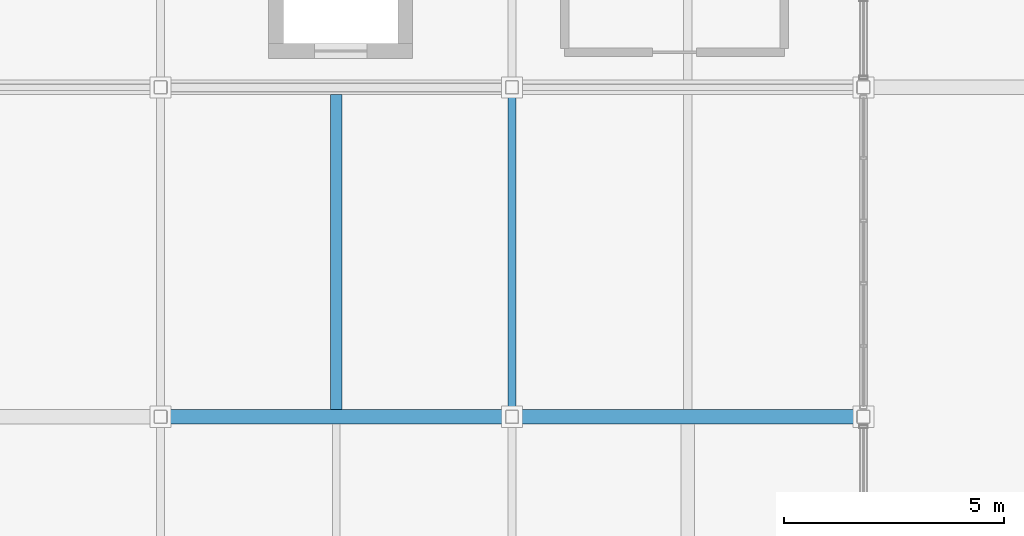
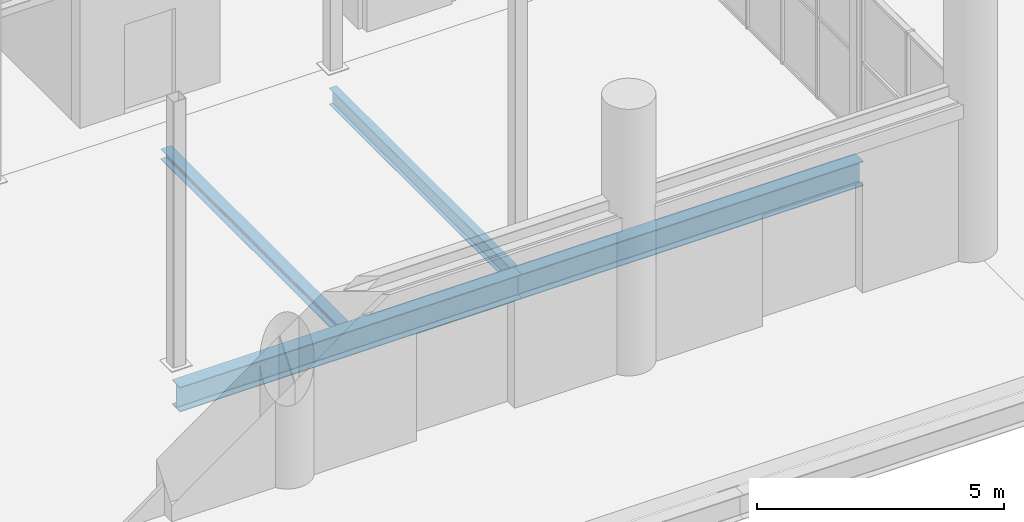
# One storey, part 30 of 140: 4 beams.
"""IFC4 building model written with IfcOpenShell, lengths in metres."""

from ifc_helpers import new_model, si_unit, direction, frame, origin, origin_2d, place, context, subcontext, project, spatial, i_section, extrude, material, material_profile, profile_set, type_object, element, save


model = new_model("IFC4")

# Units and contexts
model_context = context("Model", 3, precision=1e-05, world=origin(), true_north=direction((0.0, 1.0)))
body_context = subcontext(model_context, "Body", "Model", "MODEL_VIEW")
ifc_project = project(units=[si_unit("LENGTHUNIT", "METRE"), si_unit("AREAUNIT", "SQUARE_METRE"), si_unit("VOLUMEUNIT", "CUBIC_METRE"), si_unit("PLANEANGLEUNIT", "RADIAN"), si_unit("MASSUNIT", "GRAM", prefix="KILO")], contexts=[model_context])

# Site, building, storey
site_placement = place(None, origin())
site = spatial("IfcSite", under=ifc_project, at=site_placement, CompositionType="ELEMENT")
building_placement = place(site_placement, origin())
building = spatial("IfcBuilding", under=site, at=building_placement, Name="Verrall Gate Interchange", CompositionType="ELEMENT")
storey_placement = place(building_placement, origin())
storey = spatial("IfcBuildingStorey", under=building, at=storey_placement, Name="L01", CompositionType="ELEMENT", Elevation=0.0)

# Beams
ifc_material_1 = material(Name="Structural Steel CSA G40.21 350WT Cat 4", Category="steel")
ifc_material_profile_1 = material_profile(ifc_material_1, i_section(OverallWidth=0.323974609375, OverallDepth=0.611083984375, WebThickness=0.0126953125, FlangeThickness=0.01904296875, FilletRadius=0.014892578125, at=origin_2d()), Name="W610x155")
ifc_profile_set_1 = profile_set([ifc_material_profile_1], Name="Structural Steel CSA G40.21 350WT Cat 4")
beam_type_1 = type_object("IfcBeamType", Name="B-08 Structural Beam W610x155", PredefinedType="BEAM", material=ifc_profile_set_1)
for number, where, z_axis, x_axis, name in (
    (1, (92.0, 4.5, -0.805419921875), (1.0, 0.0, 0.0), (0.0, 1.0, 0.0), "L01 Girder BM-L01-0762 (B-08)"),
    (2, (100.0, 4.5, -0.805419921875), (1.0, 0.0, 0.0), (0.0, 1.0, 0.0), "L01 Girder BM-L01-0763 (B-08)"),
):
    element("IfcBeam", number, at=place(storey_placement, frame(where, z_axis=z_axis, x_axis=x_axis)), inside=storey, type_object=beam_type_1, Name=name, PredefinedType="BEAM", context=body_context, shape_type="SweptSolid", body=[
        extrude(i_section(OverallWidth=0.323974609375, OverallDepth=0.611083984375, WebThickness=0.0126953125, FlangeThickness=0.01904296875, FilletRadius=0.014892578125, at=origin_2d()), origin(), (0.0, 0.0, 1.0), 8.0),
    ])
ifc_material_2 = material(Name="Structural Steel CSA G40.21 350W", Category="steel")
ifc_material_profile_2 = material_profile(ifc_material_2, i_section(OverallWidth=0.178955078125, OverallDepth=0.409912109375, WebThickness=0.0087890625, FlangeThickness=0.014404296875, FilletRadius=0.011962890625, at=origin_2d()), Name="W410x67")
ifc_profile_set_2 = profile_set([ifc_material_profile_2], Name="Structural Steel CSA G40.21 350W")
beam_type_2 = type_object("IfcBeamType", Name="B-12 Structural Beam W410x67", PredefinedType="BEAM", material=ifc_profile_set_2)
beam_1_placement = place(storey_placement, frame((100.0, 4.5, -0.705078125), z_axis=(0.0, 1.0, 0.0), x_axis=(-1.0, 0.0, 0.0)))
element("IfcBeam", 3, at=beam_1_placement, inside=storey, type_object=beam_type_2, Name="L01 Girder BM-L01-1159 (B-12)", PredefinedType="BEAM", context=body_context, shape_type="SweptSolid", body=[
    extrude(i_section(OverallWidth=0.178955078125, OverallDepth=0.409912109375, WebThickness=0.0087890625, FlangeThickness=0.014404296875, FilletRadius=0.011962890625, at=origin_2d()), origin(), (0.0, 0.0, 1.0), 7.5),
])
ifc_material_3 = material(Name="Structural Steel CSA G40.21 350W", Category="steel")
ifc_material_profile_3 = material_profile(ifc_material_3, i_section(OverallWidth=0.25390625, OverallDepth=0.2529296875, WebThickness=0.008544921875, FlangeThickness=0.01416015625, FilletRadius=0.011962890625, at=origin_2d()), Name="W250x73")
ifc_profile_set_3 = profile_set([ifc_material_profile_3], Name="Structural Steel CSA G40.21 350W")
beam_type_3 = type_object("IfcBeamType", Name="J-05 Floor Joist W250x73", PredefinedType="JOIST", material=ifc_profile_set_3)
beam_2_placement = place(storey_placement, frame((96.0, 4.662109375, -0.62646484375), z_axis=(0.0, 1.0, 0.0), x_axis=(-1.0, 0.0, 0.0)))
element("IfcBeam", 4, at=beam_2_placement, inside=storey, type_object=beam_type_3, Name="L01 Secondary Floor Joist JST-L01-1277", PredefinedType="JOIST", context=body_context, shape_type="SweptSolid", body=[
    extrude(i_section(OverallWidth=0.25390625, OverallDepth=0.2529296875, WebThickness=0.008544921875, FlangeThickness=0.01416015625, FilletRadius=0.011962890625, at=origin_2d()), origin(), (0.0, 0.0, 1.0), 7.17578125),
])

save(model, "model.ifc")
